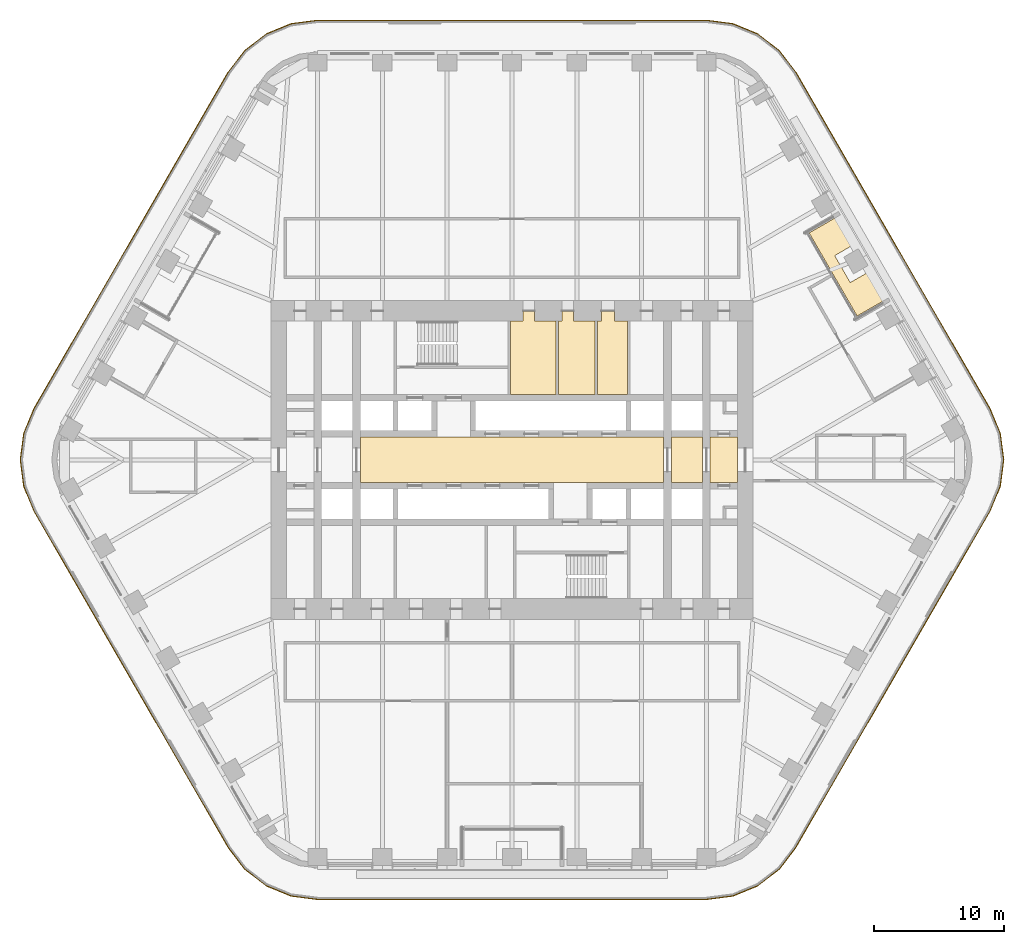
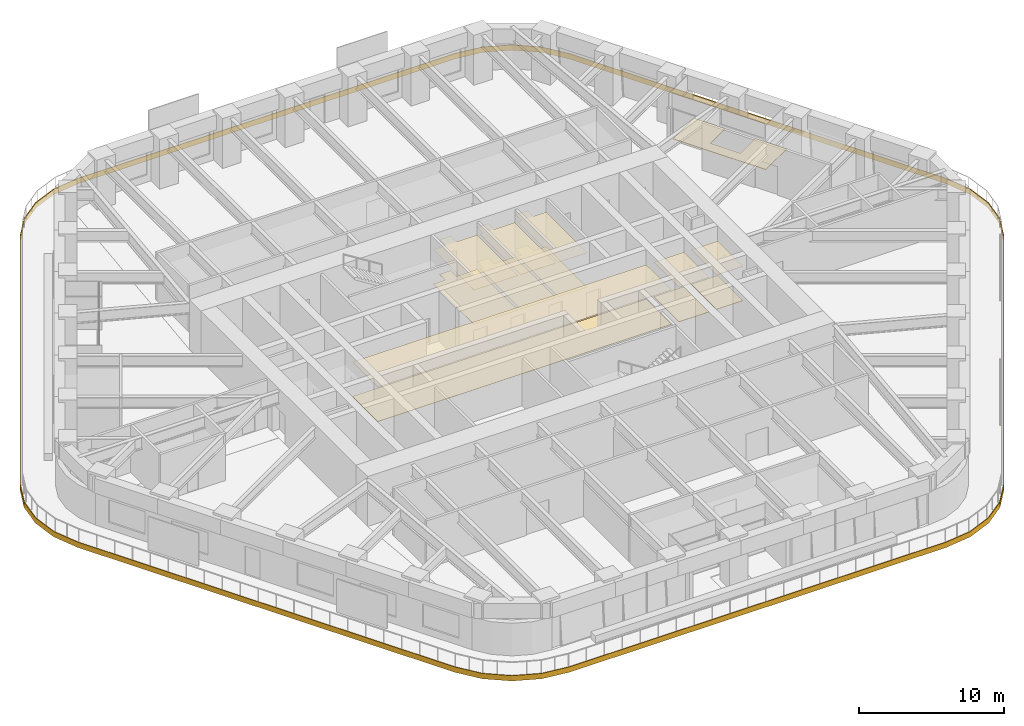
# One storey, part 23 of 24: 14 coverings.
"""IFC4 building model written with IfcOpenShell, lengths in metres."""

from ifc_helpers import new_model, si_unit, direction, frame, origin, place, context, subcontext, project, spatial, polyline, outline, extrude, material, layer, layer_set, type_object, element, save


model = new_model("IFC4")

# Units and contexts
model_context = context("Model", 3, precision=1e-05, world=origin(), true_north=direction((0.0, 1.0)))
body_context = subcontext(model_context, "Body", "Model", "MODEL_VIEW")
ifc_project = project(units=[si_unit("LENGTHUNIT", "METRE"), si_unit("AREAUNIT", "SQUARE_METRE"), si_unit("VOLUMEUNIT", "CUBIC_METRE"), si_unit("PLANEANGLEUNIT", "RADIAN"), si_unit("MASSUNIT", "GRAM", prefix="KILO")], contexts=[model_context])

# Site, building, storey
site_placement = place(None, origin())
site = spatial("IfcSite", under=ifc_project, at=site_placement, CompositionType="ELEMENT")
building_placement = place(site_placement, origin())
building = spatial("IfcBuilding", under=site, at=building_placement, Name="Tarfa Lantern Tower", CompositionType="ELEMENT")
storey_placement = place(building_placement, frame((0.0, 0.0, 182.5)))
storey = spatial("IfcBuildingStorey", under=building, at=storey_placement, Name="L41", CompositionType="ELEMENT", Elevation=182.5)

# Coverings
ifc_material_1 = material(Name="Moisture-resistant plasterboard", Category="finish")
ifc_layer_1 = layer(ifc_material_1, 0.014892578125)
ifc_layer_set_1 = layer_set([ifc_layer_1], Name="CL2 MOISTURE-RESISTANT PLASTERBOARD CEILING 15")
covering_type_1 = type_object("IfcCoveringType", Name="CL2 MOISTURE-RESISTANT PLASTERBOARD CEILING 15", PredefinedType="CEILING", material=ifc_layer_set_1)
covering_1_placement = place(storey_placement, frame((0.0, 0.0, 2.89990234375)))
element("IfcCovering", 1, at=covering_1_placement, inside=storey, type_object=covering_type_1, Name="Ceiling L41-09", PredefinedType="CEILING", context=body_context, shape_type="SweptSolid", body=[
    extrude(outline(polyline([(0.85009765625, 10.699951171875), (-0.10009765625, 10.699951171875), (-0.10009765625, 5.050048828125), (3.39990234375, 5.050048828125), (3.39990234375, 10.699951171875), (1.75, 10.699951171875), (1.75, 11.5), (0.85009765625, 11.5), (0.85009765625, 11.5), (0.85009765625, 10.699951171875)])), origin(), (0.0, 0.0, 1.0), 0.01513671875),
])
covering_2_placement = place(storey_placement, frame((0.0, 0.0, 2.89990234375)))
element("IfcCovering", 2, at=covering_2_placement, inside=storey, type_object=covering_type_1, Name="Ceiling L41-10", PredefinedType="CEILING", context=body_context, shape_type="SweptSolid", body=[
    extrude(outline(polyline([(3.60009765625, 5.050048828125), (6.39990234375, 5.050048828125), (6.39990234375, 10.699951171875), (4.75, 10.699951171875), (4.75, 11.5), (3.85009765625, 11.5), (3.85009765625, 10.699951171875), (3.60009765625, 10.699951171875), (3.60009765625, 5.050048828125)])), origin(), (0.0, 0.0, 1.0), 0.01513671875),
])
covering_3_placement = place(storey_placement, frame((0.0, 0.0, 2.89990234375)))
element("IfcCovering", 3, at=covering_3_placement, inside=storey, type_object=covering_type_1, Name="Ceiling L41-11", PredefinedType="CEILING", context=body_context, shape_type="SweptSolid", body=[
    extrude(outline(polyline([(6.60009765625, 5.050048828125), (8.89990234375, 5.050048828125), (8.89990234375, 10.699951171875), (7.89990234375, 10.699951171875), (7.89990234375, 11.5), (6.89990234375, 11.5), (6.89990234375, 10.699951171875), (6.60009765625, 10.699951171875), (6.60009765625, 5.050048828125)])), origin(), (0.0, 0.0, 1.0), 0.01513671875),
])
ifc_material_2 = material(Name="Powder-coated aluminium panel", Category="aluminium")
ifc_layer_2 = layer(ifc_material_2, 0.030029296875)
ifc_layer_set_2 = layer_set([ifc_layer_2], Name="CL3 METAL PANEL CEILING 30")
covering_type_2 = type_object("IfcCoveringType", Name="CL3 METAL PANEL CEILING 30", PredefinedType="CEILING", material=ifc_layer_set_2)
covering_4_placement = place(storey_placement, frame((0.0, 0.0, 2.89990234375)))
element("IfcCovering", 4, at=covering_4_placement, inside=storey, type_object=covering_type_2, Name="Ceiling L41-03", PredefinedType="CEILING", context=body_context, shape_type="SweptSolid", body=[
    extrude(outline(polyline([(-11.699951171875, -1.75), (11.699951171875, -1.75), (11.699951171875, 1.75), (-11.699951171875, 1.75), (-11.699951171875, -1.75)])), origin(), (0.0, 0.0, 1.0), 0.030029296875),
])
covering_5_placement = place(storey_placement, frame((0.0, 0.0, 2.89990234375)))
element("IfcCovering", 5, at=covering_5_placement, inside=storey, type_object=covering_type_2, Name="Ceiling L41-04", PredefinedType="CEILING", context=body_context, shape_type="SweptSolid", body=[
    extrude(outline(polyline([(12.300048828125, -1.75), (14.699951171875, -1.75), (14.699951171875, 1.75), (12.300048828125, 1.75), (12.300048828125, -1.75)])), origin(), (0.0, 0.0, 1.0), 0.030029296875),
])
covering_6_placement = place(storey_placement, frame((0.0, 0.0, 2.89990234375)))
element("IfcCovering", 6, at=covering_6_placement, inside=storey, type_object=covering_type_2, Name="Ceiling L41-05", PredefinedType="CEILING", context=body_context, shape_type="SweptSolid", body=[
    extrude(outline(polyline([(15.300048828125, -1.75), (17.39990234375, -1.75), (17.39990234375, 1.75), (15.300048828125, 1.75), (15.300048828125, -1.75)])), origin(), (0.0, 0.0, 1.0), 0.030029296875),
])
ifc_material_3 = material(Name="Honed limestone flooring", Category="masonry")
ifc_layer_3 = layer(ifc_material_3, 0.030029296875)
ifc_layer_set_3 = layer_set([ifc_layer_3], Name="FL2 STONE FLOORING 30")
covering_type_3 = type_object("IfcCoveringType", Name="FL2 STONE FLOORING 30", PredefinedType="FLOORING", material=ifc_layer_set_3)
covering_7_placement = place(storey_placement, origin())
element("IfcCovering", 7, at=covering_7_placement, inside=storey, type_object=covering_type_3, Name="Floor finish L41-03", PredefinedType="FLOORING", context=body_context, shape_type="SweptSolid", body=[
    extrude(outline(polyline([(-11.699951171875, -1.75), (11.699951171875, -1.75), (11.699951171875, 1.75), (-11.699951171875, 1.75), (-11.699951171875, -1.75)])), origin(), (0.0, 0.0, 1.0), 0.030029296875),
])
covering_8_placement = place(storey_placement, origin())
element("IfcCovering", 8, at=covering_8_placement, inside=storey, type_object=covering_type_3, Name="Floor finish L41-04", PredefinedType="FLOORING", context=body_context, shape_type="SweptSolid", body=[
    extrude(outline(polyline([(12.300048828125, -1.75), (14.699951171875, -1.75), (14.699951171875, 1.75), (12.300048828125, 1.75), (12.300048828125, -1.75)])), origin(), (0.0, 0.0, 1.0), 0.030029296875),
])
covering_9_placement = place(storey_placement, origin())
element("IfcCovering", 9, at=covering_9_placement, inside=storey, type_object=covering_type_3, Name="Floor finish L41-05", PredefinedType="FLOORING", context=body_context, shape_type="SweptSolid", body=[
    extrude(outline(polyline([(15.300048828125, -1.75), (17.39990234375, -1.75), (17.39990234375, 1.75), (15.300048828125, 1.75), (15.300048828125, -1.75)])), origin(), (0.0, 0.0, 1.0), 0.030029296875),
])
ifc_material_4 = material(Name="Porcelain floor tile", Category="finish")
ifc_layer_4 = layer(ifc_material_4, 0.011962890625)
ifc_layer_set_4 = layer_set([ifc_layer_4], Name="FL3 CERAMIC TILE 12")
covering_type_4 = type_object("IfcCoveringType", Name="FL3 CERAMIC TILE 12", PredefinedType="FLOORING", material=ifc_layer_set_4)
covering_10_placement = place(storey_placement, origin())
element("IfcCovering", 10, at=covering_10_placement, inside=storey, type_object=covering_type_4, Name="Floor finish L41-09", PredefinedType="FLOORING", context=body_context, shape_type="SweptSolid", body=[
    extrude(outline(polyline([(0.85009765625, 10.699951171875), (-0.10009765625, 10.699951171875), (-0.10009765625, 5.050048828125), (3.39990234375, 5.050048828125), (3.39990234375, 10.699951171875), (1.75, 10.699951171875), (1.75, 11.5), (0.85009765625, 11.5), (0.85009765625, 11.5), (0.85009765625, 10.699951171875)])), origin(), (0.0, 0.0, 1.0), 0.011962890625),
])
covering_11_placement = place(storey_placement, origin())
element("IfcCovering", 11, at=covering_11_placement, inside=storey, type_object=covering_type_4, Name="Floor finish L41-10", PredefinedType="FLOORING", context=body_context, shape_type="SweptSolid", body=[
    extrude(outline(polyline([(3.60009765625, 5.050048828125), (6.39990234375, 5.050048828125), (6.39990234375, 10.699951171875), (4.75, 10.699951171875), (4.75, 11.5), (3.85009765625, 11.5), (3.85009765625, 10.699951171875), (3.60009765625, 10.699951171875), (3.60009765625, 5.050048828125)])), origin(), (0.0, 0.0, 1.0), 0.011962890625),
])
covering_12_placement = place(storey_placement, origin())
element("IfcCovering", 12, at=covering_12_placement, inside=storey, type_object=covering_type_4, Name="Floor finish L41-11", PredefinedType="FLOORING", context=body_context, shape_type="SweptSolid", body=[
    extrude(outline(polyline([(6.60009765625, 5.050048828125), (8.89990234375, 5.050048828125), (8.89990234375, 10.699951171875), (7.89990234375, 10.699951171875), (7.89990234375, 11.5), (6.89990234375, 11.5), (6.89990234375, 10.699951171875), (6.60009765625, 10.699951171875), (6.60009765625, 5.050048828125)])), origin(), (0.0, 0.0, 1.0), 0.011962890625),
])
ifc_material_5 = material(Name="Porcelain pavers on pedestals", Category="ceramic")
ifc_layer_5 = layer(ifc_material_5, 0.0400390625)
ifc_layer_set_5 = layer_set([ifc_layer_5], Name="LP1 LOGGIA PAVING 40")
covering_type_5 = type_object("IfcCoveringType", Name="LP1 LOGGIA PAVING 40", PredefinedType="FLOORING", material=ifc_layer_set_5)
covering_13_placement = place(storey_placement, origin())
element("IfcCovering", 13, at=covering_13_placement, inside=storey, type_object=covering_type_5, Name="Loggia paving NE", PredefinedType="FLOORING", context=body_context, shape_type="SweptSolid", body=[
    extrude(outline(polyline([(29.131591796875, 12.54248046875), (26.637451171875, 11.1025390625), (22.933837890625, 17.517578125), (25.427978515625, 18.95751953125), (26.6796875, 16.789306640625), (24.904541015625, 15.76416015625), (26.1044921875, 13.685791015625), (27.8798828125, 14.710693359375), (29.131591796875, 12.54248046875)])), origin(), (0.0, 0.0, 1.0), 0.0400390625),
])
ifc_material_6 = material(Name="Limestone cladding on brackets", Category="masonry")
ifc_layer_6 = layer(ifc_material_6, 0.050048828125)
ifc_layer_set_6 = layer_set([ifc_layer_6], Name="SB1 STONE BAND CLADDING 50")
covering_type_6 = type_object("IfcCoveringType", Name="SB1 STONE BAND CLADDING 50", PredefinedType="CLADDING", material=ifc_layer_set_6)
covering_14_placement = place(storey_placement, frame((0.0, 0.0, -0.39990234375)))
element("IfcCovering", 14, at=covering_14_placement, inside=storey, type_object=covering_type_6, Name="Stone band", PredefinedType="CLADDING", context=body_context, shape_type="SweptSolid", body=[
    extrude(outline(polyline([(36.9072265625, 3.97509765625), (21.89599609375, 29.97509765625), (20.632568359375, 31.62158203125), (18.986083984375, 32.885009765625), (17.068603515625, 33.67919921875), (15.010986328125, 33.949951171875), (-15.010986328125, 33.949951171875), (-17.068603515625, 33.67919921875), (-18.986083984375, 32.885009765625), (-20.632568359375, 31.62158203125), (-21.89599609375, 29.97509765625), (-36.9072265625, 3.97509765625), (-37.701416015625, 2.0576171875), (-37.97216796875, 0.0), (-37.701416015625, -2.0576171875), (-36.9072265625, -3.97509765625), (-21.89599609375, -29.97509765625), (-20.632568359375, -31.62158203125), (-18.986083984375, -32.885009765625), (-17.068603515625, -33.67919921875), (-15.010986328125, -33.949951171875), (15.010986328125, -33.949951171875), (17.068603515625, -33.67919921875), (18.986083984375, -32.885009765625), (20.632568359375, -31.62158203125), (21.89599609375, -29.97509765625), (36.9072265625, -3.97509765625), (37.701416015625, -2.0576171875), (37.97216796875, 0.0), (37.701416015625, 2.0576171875), (36.9072265625, 3.97509765625)]), holes=[polyline([(36.86376953125, 3.949951171875), (21.852783203125, 29.949951171875), (20.59716796875, 31.586181640625), (18.961181640625, 32.841552734375), (17.0556640625, 33.630859375), (15.010986328125, 33.89990234375), (-15.010986328125, 33.89990234375), (-17.0556640625, 33.630859375), (-18.961181640625, 32.841552734375), (-20.59716796875, 31.586181640625), (-21.852783203125, 29.949951171875), (-36.86376953125, 3.949951171875), (-37.653076171875, 2.044677734375), (-37.922119140625, 0.0), (-37.653076171875, -2.044677734375), (-36.86376953125, -3.949951171875), (-21.852783203125, -29.949951171875), (-20.59716796875, -31.586181640625), (-18.961181640625, -32.841552734375), (-17.0556640625, -33.630859375), (-15.010986328125, -33.89990234375), (15.010986328125, -33.89990234375), (17.0556640625, -33.630859375), (18.961181640625, -32.841552734375), (20.59716796875, -31.586181640625), (21.852783203125, -29.949951171875), (36.86376953125, -3.949951171875), (37.653076171875, -2.044677734375), (37.922119140625, 0.0), (37.653076171875, 2.044677734375), (36.86376953125, 3.949951171875)])]), origin(), (0.0, 0.0, 1.0), 0.449951171875),
])

save(model, "model.ifc")
